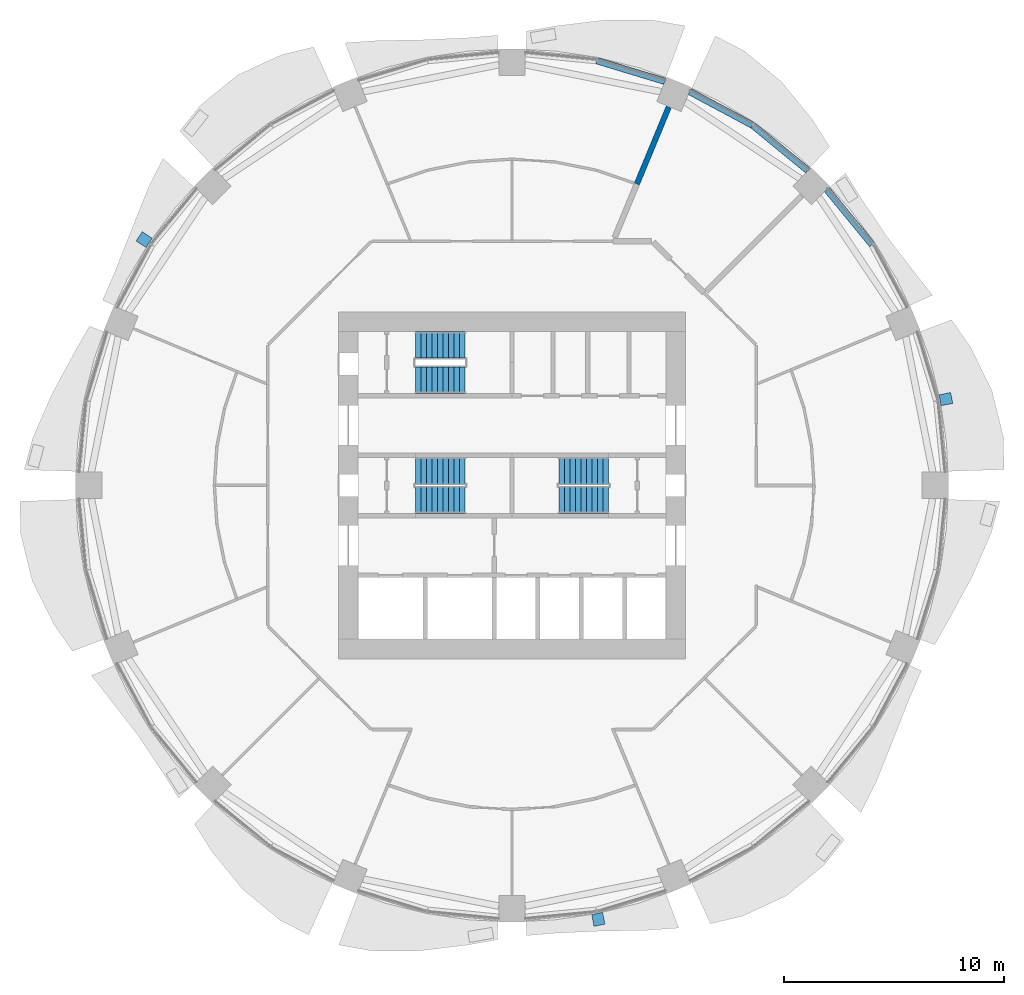
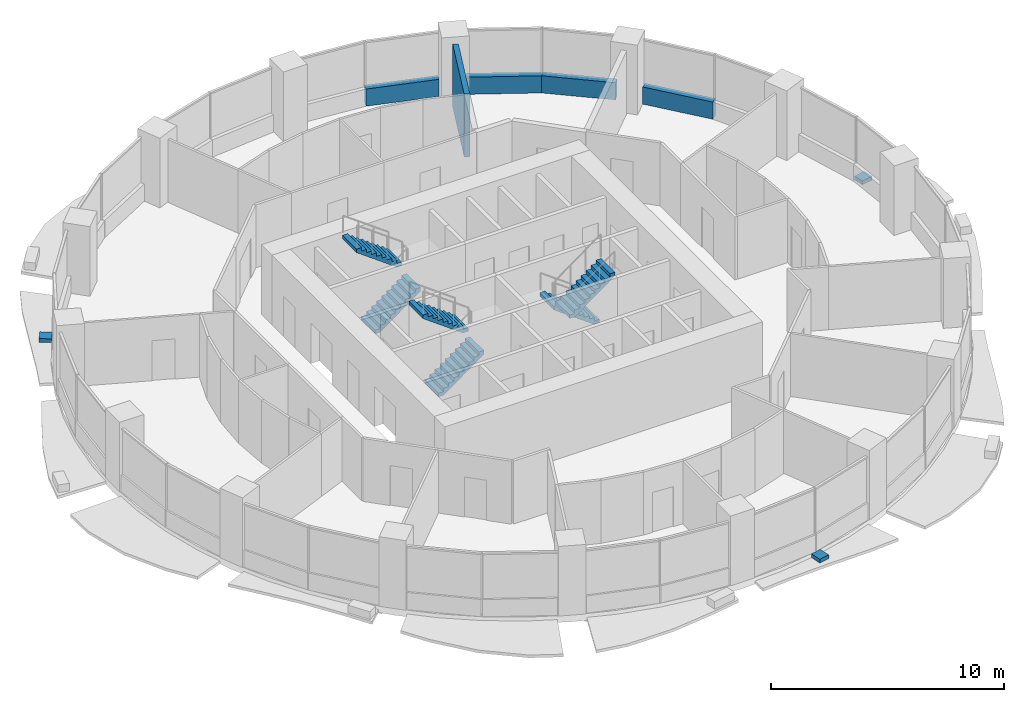
# One storey, part 11 of 15: 6 stair flights, 5 walls, 3 discrete accessories, 3 elements without a shape of their own.
"""IFC4 building model written with IfcOpenShell, lengths in metres."""

from ifc_helpers import new_model, si_unit, direction, frame, frame_2d, origin, place, context, subcontext, project, spatial, polyline, rectangle, outline, extrude, material, layer, layer_set, type_object, element, aggregate, save


model = new_model("IFC4")

# Units and contexts
model_context = context("Model", 3, precision=1e-05, world=origin(), true_north=direction((0.0, 1.0)))
body_context = subcontext(model_context, "Body", "Model", "MODEL_VIEW")
ifc_project = project(units=[si_unit("LENGTHUNIT", "METRE"), si_unit("AREAUNIT", "SQUARE_METRE"), si_unit("VOLUMEUNIT", "CUBIC_METRE"), si_unit("PLANEANGLEUNIT", "RADIAN"), si_unit("MASSUNIT", "GRAM", prefix="KILO")], contexts=[model_context])

# Site, building, storey
site_placement = place(None, origin())
site = spatial("IfcSite", under=ifc_project, at=site_placement, CompositionType="ELEMENT")
building_placement = place(site_placement, origin())
building = spatial("IfcBuilding", under=site, at=building_placement, Name="Polderwave Tower", CompositionType="ELEMENT")
storey_placement = place(building_placement, frame((0.0, 0.0, 26.199951171875)))
storey = spatial("IfcBuildingStorey", under=building, at=storey_placement, Name="L06", CompositionType="ELEMENT", Elevation=26.199951171875)

# Walls
ifc_material_1 = material(Name="Concrete C50/60 (board-marked)", Category="concrete")
ifc_layer_1 = layer(ifc_material_1, 0.300048828125)
ifc_layer_set_1 = layer_set([ifc_layer_1], Name="Concrete spandrel upstand C50/60")
wall_type_1 = type_object("IfcWallType", Name="Concrete spandrel upstand C50/60", PredefinedType="SOLIDWALL", material=ifc_layer_set_1)
for number, where, z_axis, x_axis, name in (
    (1, (16.32861328125, 10.9287109375, 0.0), (0.0, 0.0, 1.0), (-0.634380496993, 0.773020947345, 0.0), "Spandrel L06 2b"),
    (2, (13.41845703125, 14.285400390625, 0.0), (0.0, 0.0, 1.0), (-0.773020947345, 0.634380496993, 0.0), "Spandrel L06 3a"),
):
    element("IfcWall", number, at=place(storey_placement, frame(where, z_axis=z_axis, x_axis=x_axis)), inside=storey, type_object=wall_type_1, Name=name, PredefinedType="SOLIDWALL", context=body_context, shape_type="SweptSolid", body=[
        extrude(rectangle(XDim=3.220703125, YDim=0.300048828125, at=frame_2d((1.6103515625, 0.0))), origin(), (0.0, 0.0, 1.0), 0.900146484375),
    ])
wall_1_placement = place(storey_placement, frame((10.90380859375, 16.34521484375, 0.0), z_axis=(0.0, 0.0, 1.0), x_axis=(-0.882016961449, 0.471217656413, 0.0)))
element("IfcWall", 3, at=wall_1_placement, inside=storey, type_object=wall_type_1, Name="Spandrel L06 3b", PredefinedType="SOLIDWALL", context=body_context, shape_type="SweptSolid", body=[
    extrude(rectangle(XDim=3.220458984375, YDim=0.300048828125, at=frame_2d((1.6103515625, 0.0))), origin(), (0.0, 0.0, 1.0), 0.900146484375),
])
wall_2_placement = place(storey_placement, frame((6.9296875, 18.33251953125, 0.0), z_axis=(0.0, 0.0, 1.0), x_axis=(-0.956935111364, 0.290301899131, 0.0)))
element("IfcWall", 4, at=wall_2_placement, inside=storey, type_object=wall_type_1, Name="Spandrel L06 4a", PredefinedType="SOLIDWALL", context=body_context, shape_type="SweptSolid", body=[
    extrude(rectangle(XDim=3.220947265625, YDim=0.300048828125, at=frame_2d((1.6103515625, 0.0))), origin(), (0.0, 0.0, 1.0), 0.900146484375),
])
ifc_material_2 = material(Name="Fire-resisting board on steel studs, mineral wool", Category="steel")
ifc_layer_2 = layer(ifc_material_2, 0.25)
ifc_layer_set_2 = layer_set([ifc_layer_2], Name="Plant room wall 250 mm EI 120")
wall_type_2 = type_object("IfcWallType", Name="Plant room wall 250 mm EI 120", PredefinedType="PARTITIONING", material=ifc_layer_set_2)
wall_3_placement = place(storey_placement, frame((5.663818359375, 13.67333984375, 0.0), z_axis=(0.0, 0.0, 1.0), x_axis=(0.38265110277, 0.923892923205, 0.0)))
element("IfcWall", 5, at=wall_3_placement, inside=storey, type_object=wall_type_2, Name="IN-L06-W034", PredefinedType="PARTITIONING", context=body_context, shape_type="SweptSolid", body=[
    extrude(rectangle(XDim=3.77001953125, YDim=0.25, at=frame_2d((1.885009765625, 0.0))), origin(), (0.0, 0.0, 1.0), 3.300048828125),
])

# Stair, stair flights
ifc_material_3 = material(Name="Concrete C40/50", Category="concrete")
stair_type = type_object("IfcStairType", Name="Exit stair 1200 x 20 risers", PredefinedType="HALF_TURN_STAIR", material=ifc_material_3)
stair_1_placement = place(storey_placement, origin())
stair_1 = element("IfcStair", 6, at=stair_1_placement, inside=storey, type_object=stair_type, Name="L06 Exit stair A", PredefinedType="HALF_TURN_STAIR")
stair_flight_type = type_object("IfcStairFlightType", Name="Stair flight 1200", PredefinedType="STRAIGHT", material=ifc_material_3)
stair_flight_1_placement = place(storey_placement, frame((-4.3740234375, -0.675048828125, 0.0), z_axis=(0.0, 0.0, 1.0), x_axis=(1.0, 0.0, 0.0)))
stair_flight_1 = element("IfcStairFlight", 7, at=stair_flight_1_placement, type_object=stair_flight_type, Name="ST-A flight 1", NumberOfRisers=10, NumberOfTreads=9, PredefinedType="STRAIGHT", RiserHeight=0.1825, TreadLength=0.25, context=body_context, shape_type="SweptSolid", body=[
    extrude(outline(polyline([(0.0, 0.0), (0.0, 0.1826171875), (0.25, 0.1826171875), (0.25, 0.364990234375), (0.5, 0.364990234375), (0.5, 0.547607421875), (0.75, 0.547607421875), (0.75, 0.72998046875), (1.0, 0.72998046875), (1.0, 0.91259765625), (1.25, 0.91259765625), (1.25, 1.094970703125), (1.5, 1.094970703125), (1.5, 1.277587890625), (1.75, 1.277587890625), (1.75, 1.4599609375), (2.0, 1.4599609375), (2.0, 1.642578125), (2.25, 1.642578125), (2.25, 1.824951171875), (2.25, 1.456787109375), (0.254150390625, 0.0), (0.0, 0.0)])), frame((0.0, 0.60009765625, 0.0), z_axis=(0.0, -1.0, 0.0), x_axis=(1.0, 0.0, 0.0)), (0.0, 0.0, 1.0), 1.199951171875),
])
stair_flight_2_placement = place(storey_placement, frame((-2.1240234375, 0.675048828125, 1.824951171875), z_axis=(0.0, 0.0, 1.0), x_axis=(-1.0, 0.0, 0.0)))
stair_flight_2 = element("IfcStairFlight", 8, at=stair_flight_2_placement, type_object=stair_flight_type, Name="ST-A flight 2", NumberOfRisers=10, NumberOfTreads=9, PredefinedType="STRAIGHT", RiserHeight=0.1825, TreadLength=0.25, context=body_context, shape_type="SweptSolid", body=[
    extrude(outline(polyline([(0.0, 0.0), (0.0, 0.1826171875), (0.25, 0.1826171875), (0.25, 0.364990234375), (0.5, 0.364990234375), (0.5, 0.547607421875), (0.75, 0.547607421875), (0.75, 0.72998046875), (1.0, 0.72998046875), (1.0, 0.91259765625), (1.25, 0.91259765625), (1.25, 1.094970703125), (1.5, 1.094970703125), (1.5, 1.277587890625), (1.75, 1.277587890625), (1.75, 1.4599609375), (2.0, 1.4599609375), (2.0, 1.642578125), (2.25, 1.642578125), (2.25, 1.824951171875), (2.25, 1.456787109375), (0.254150390625, 0.0), (0.0, 0.0)])), frame((0.0, 0.60009765625, 0.0), z_axis=(0.0, -1.0, 0.0), x_axis=(1.0, 0.0, 0.0)), (0.0, 0.0, 1.0), 1.199951171875),
])
aggregate(stair_1, [stair_flight_1, stair_flight_2])

stair_2_placement = place(storey_placement, origin())
stair_2 = element("IfcStair", 9, at=stair_2_placement, inside=storey, type_object=stair_type, Name="L06 Exit stair B", PredefinedType="HALF_TURN_STAIR")
stair_flight_3_placement = place(storey_placement, frame((4.3740234375, 0.675048828125, 0.0), z_axis=(0.0, 0.0, 1.0), x_axis=(-1.0, 0.0, 0.0)))
stair_flight_3 = element("IfcStairFlight", 10, at=stair_flight_3_placement, type_object=stair_flight_type, Name="ST-B flight 1", NumberOfRisers=10, NumberOfTreads=9, PredefinedType="STRAIGHT", RiserHeight=0.1825, TreadLength=0.25, context=body_context, shape_type="SweptSolid", body=[
    extrude(outline(polyline([(0.0, 0.0), (0.0, 0.1826171875), (0.25, 0.1826171875), (0.25, 0.364990234375), (0.5, 0.364990234375), (0.5, 0.547607421875), (0.75, 0.547607421875), (0.75, 0.72998046875), (1.0, 0.72998046875), (1.0, 0.91259765625), (1.25, 0.91259765625), (1.25, 1.094970703125), (1.5, 1.094970703125), (1.5, 1.277587890625), (1.75, 1.277587890625), (1.75, 1.4599609375), (2.0, 1.4599609375), (2.0, 1.642578125), (2.25, 1.642578125), (2.25, 1.824951171875), (2.25, 1.456787109375), (0.254150390625, 0.0), (0.0, 0.0)])), frame((0.0, 0.60009765625, 0.0), z_axis=(0.0, -1.0, 0.0), x_axis=(1.0, 0.0, 0.0)), (0.0, 0.0, 1.0), 1.199951171875),
])
stair_flight_4_placement = place(storey_placement, frame((2.1240234375, -0.675048828125, 1.824951171875), z_axis=(0.0, 0.0, 1.0), x_axis=(1.0, 0.0, 0.0)))
stair_flight_4 = element("IfcStairFlight", 11, at=stair_flight_4_placement, type_object=stair_flight_type, Name="ST-B flight 2", NumberOfRisers=10, NumberOfTreads=9, PredefinedType="STRAIGHT", RiserHeight=0.1825, TreadLength=0.25, context=body_context, shape_type="SweptSolid", body=[
    extrude(outline(polyline([(0.0, 0.0), (0.0, 0.1826171875), (0.25, 0.1826171875), (0.25, 0.364990234375), (0.5, 0.364990234375), (0.5, 0.547607421875), (0.75, 0.547607421875), (0.75, 0.72998046875), (1.0, 0.72998046875), (1.0, 0.91259765625), (1.25, 0.91259765625), (1.25, 1.094970703125), (1.5, 1.094970703125), (1.5, 1.277587890625), (1.75, 1.277587890625), (1.75, 1.4599609375), (2.0, 1.4599609375), (2.0, 1.642578125), (2.25, 1.642578125), (2.25, 1.824951171875), (2.25, 1.456787109375), (0.254150390625, 0.0), (0.0, 0.0)])), frame((0.0, 0.60009765625, 0.0), z_axis=(0.0, -1.0, 0.0), x_axis=(1.0, 0.0, 0.0)), (0.0, 0.0, 1.0), 1.199951171875),
])
aggregate(stair_2, [stair_flight_3, stair_flight_4])

stair_3_placement = place(storey_placement, origin())
stair_3 = element("IfcStair", 12, at=stair_3_placement, inside=storey, type_object=stair_type, Name="L06 Exit stair C", PredefinedType="HALF_TURN_STAIR")
stair_flight_5_placement = place(storey_placement, frame((-4.3740234375, 4.77392578125, 0.0), z_axis=(0.0, 0.0, 1.0), x_axis=(1.0, 0.0, 0.0)))
stair_flight_5 = element("IfcStairFlight", 13, at=stair_flight_5_placement, type_object=stair_flight_type, Name="ST-C flight 1", NumberOfRisers=10, NumberOfTreads=9, PredefinedType="STRAIGHT", RiserHeight=0.1825, TreadLength=0.25, context=body_context, shape_type="SweptSolid", body=[
    extrude(outline(polyline([(0.0, 0.0), (0.0, 0.1826171875), (0.25, 0.1826171875), (0.25, 0.364990234375), (0.5, 0.364990234375), (0.5, 0.547607421875), (0.75, 0.547607421875), (0.75, 0.72998046875), (1.0, 0.72998046875), (1.0, 0.91259765625), (1.25, 0.91259765625), (1.25, 1.094970703125), (1.5, 1.094970703125), (1.5, 1.277587890625), (1.75, 1.277587890625), (1.75, 1.4599609375), (2.0, 1.4599609375), (2.0, 1.642578125), (2.25, 1.642578125), (2.25, 1.824951171875), (2.25, 1.456787109375), (0.254150390625, 0.0), (0.0, 0.0)])), frame((0.0, 0.60009765625, 0.0), z_axis=(0.0, -1.0, 0.0), x_axis=(1.0, 0.0, 0.0)), (0.0, 0.0, 1.0), 1.199951171875),
])
stair_flight_6_placement = place(storey_placement, frame((-2.1240234375, 6.3740234375, 1.824951171875), z_axis=(0.0, 0.0, 1.0), x_axis=(-1.0, 0.0, 0.0)))
stair_flight_6 = element("IfcStairFlight", 14, at=stair_flight_6_placement, type_object=stair_flight_type, Name="ST-C flight 2", NumberOfRisers=10, NumberOfTreads=9, PredefinedType="STRAIGHT", RiserHeight=0.1825, TreadLength=0.25, context=body_context, shape_type="SweptSolid", body=[
    extrude(outline(polyline([(0.0, 0.0), (0.0, 0.1826171875), (0.25, 0.1826171875), (0.25, 0.364990234375), (0.5, 0.364990234375), (0.5, 0.547607421875), (0.75, 0.547607421875), (0.75, 0.72998046875), (1.0, 0.72998046875), (1.0, 0.91259765625), (1.25, 0.91259765625), (1.25, 1.094970703125), (1.5, 1.094970703125), (1.5, 1.277587890625), (1.75, 1.277587890625), (1.75, 1.4599609375), (2.0, 1.4599609375), (2.0, 1.642578125), (2.25, 1.642578125), (2.25, 1.824951171875), (2.25, 1.456787109375), (0.254150390625, 0.0), (0.0, 0.0)])), frame((0.0, 0.60009765625, 0.0), z_axis=(0.0, -1.0, 0.0), x_axis=(1.0, 0.0, 0.0)), (0.0, 0.0, 1.0), 1.199951171875),
])
aggregate(stair_3, [stair_flight_5, stair_flight_6])

# Discrete accessories
ifc_material_4 = material(Name="Steel S355", Category="steel")
discrete_accessory_type = type_object("IfcDiscreteAccessoryType", Name="Band bracket pad", PredefinedType="BRACKET", material=ifc_material_4)
discrete_accessory_1_placement = place(storey_placement, frame((0.0, 0.0, -0.199951171875)))
element("IfcDiscreteAccessory", 15, at=discrete_accessory_1_placement, inside=storey, type_object=discrete_accessory_type, Name="Band bracket L06 1", PredefinedType="BRACKET", context=body_context, shape_type="SweptSolid", body=[
    extrude(outline(polyline([(19.456298828125, 3.615478515625), (19.41943359375, 3.86279296875), (19.35888671875, 4.105224609375), (19.896728515625, 4.219482421875), (19.9970703125, 3.716064453125), (19.456298828125, 3.615478515625)])), origin(), (0.0, 0.0, 1.0), 0.199951171875),
])
discrete_accessory_2_placement = place(storey_placement, frame((0.0, 0.0, -0.199951171875)))
element("IfcDiscreteAccessory", 16, at=discrete_accessory_2_placement, inside=storey, type_object=discrete_accessory_type, Name="Band bracket L06 7", PredefinedType="BRACKET", context=body_context, shape_type="SweptSolid", body=[
    extrude(outline(polyline([(-16.314208984375, 11.201171875), (-16.463134765625, 11.000244140625), (-16.591552734375, 10.785888671875), (-17.052734375, 11.085693359375), (-16.767578125, 11.512451171875), (-16.314208984375, 11.201171875)])), origin(), (0.0, 0.0, 1.0), 0.199951171875),
])
discrete_accessory_3_placement = place(storey_placement, frame((0.0, 0.0, -0.199951171875)))
element("IfcDiscreteAccessory", 17, at=discrete_accessory_3_placement, inside=storey, type_object=discrete_accessory_type, Name="Band bracket L06 13", PredefinedType="BRACKET", context=body_context, shape_type="SweptSolid", body=[
    extrude(outline(polyline([(3.615478515625, -19.456298828125), (3.86279296875, -19.41943359375), (4.105224609375, -19.35888671875), (4.219482421875, -19.896728515625), (3.716064453125, -19.9970703125), (3.615478515625, -19.456298828125)])), origin(), (0.0, 0.0, 1.0), 0.199951171875),
])

save(model, "model.ifc")
